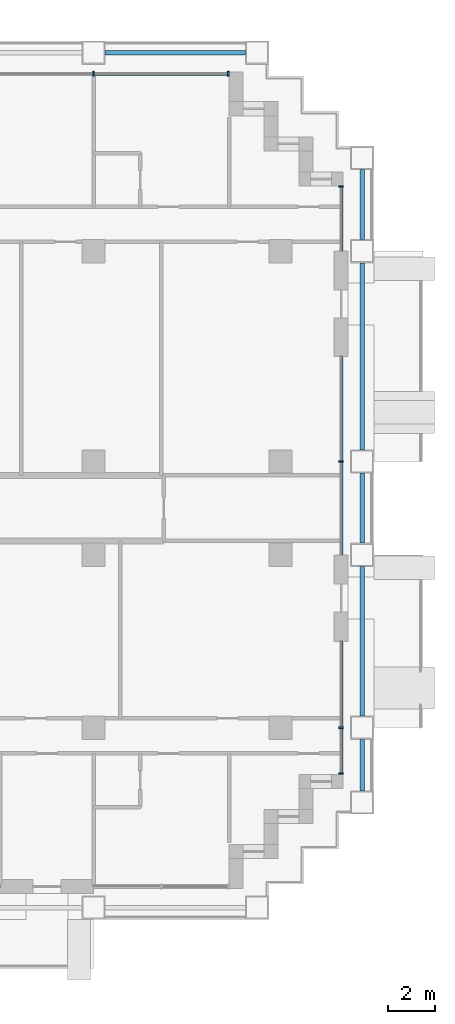
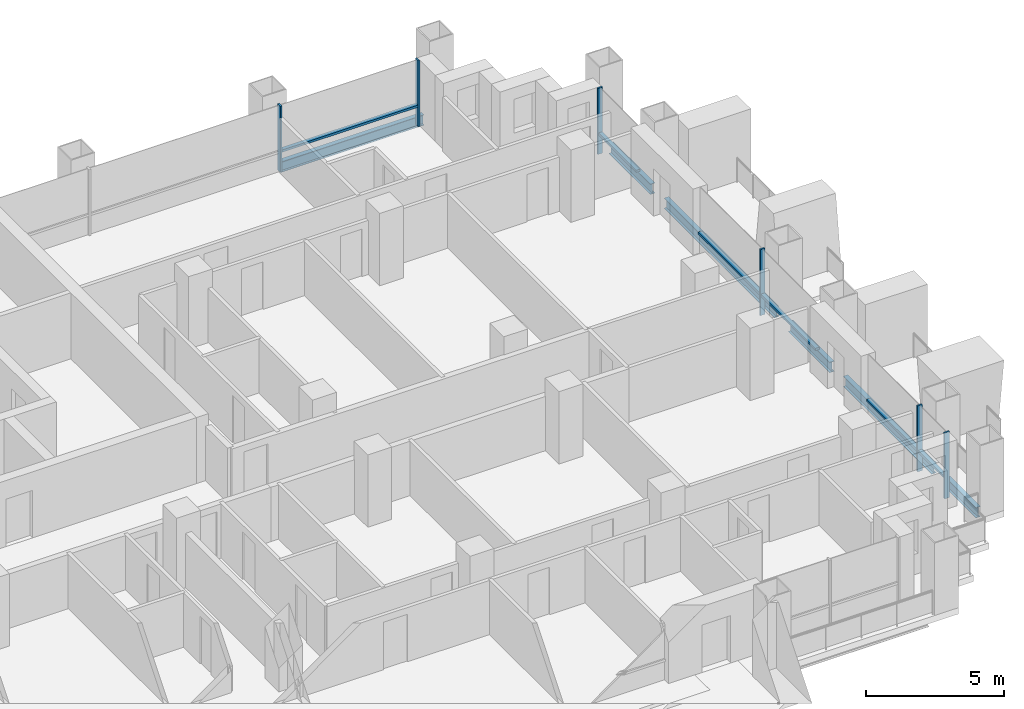
# One storey, part 6 of 18: 12 members, 6 beams, 4 elements without a shape of their own.
"""IFC4 building model written with IfcOpenShell, lengths in metres."""

from ifc_helpers import new_model, si_unit, direction, frame, origin, origin_2d, place, context, subcontext, project, spatial, rectangle, i_section, extrude, material, material_profile, profile_set, type_object, element, aggregate, save


model = new_model("IFC4")

# Units and contexts
model_context = context("Model", 3, precision=1e-05, world=origin(), true_north=direction((0.0, 1.0)))
body_context = subcontext(model_context, "Body", "Model", "MODEL_VIEW")
ifc_project = project(units=[si_unit("LENGTHUNIT", "METRE"), si_unit("AREAUNIT", "SQUARE_METRE"), si_unit("VOLUMEUNIT", "CUBIC_METRE"), si_unit("PLANEANGLEUNIT", "RADIAN"), si_unit("MASSUNIT", "GRAM", prefix="KILO")], contexts=[model_context])

# Site, building, storey
site_placement = place(None, origin())
site = spatial("IfcSite", under=ifc_project, at=site_placement, CompositionType="ELEMENT")
building_placement = place(site_placement, origin())
building = spatial("IfcBuilding", under=site, at=building_placement, Name="Vidyagriha Tower", CompositionType="ELEMENT")
storey_placement = place(building_placement, frame((0.0, 0.0, 51.199951171875)))
storey = spatial("IfcBuildingStorey", under=building, at=storey_placement, Name="L13", CompositionType="ELEMENT", Elevation=51.199951171875)

# Beams
ifc_material_1 = material(Name="Steel ASTM A992 Grade 50", Category="steel")
ifc_material_profile_1 = material_profile(ifc_material_1, i_section(OverallWidth=0.19189453125, OverallDepth=0.46240234375, WebThickness=0.010498046875, FlangeThickness=0.017578125, at=origin_2d()), Name="W18X60")
ifc_profile_set_1 = profile_set([ifc_material_profile_1], Name="Steel ASTM A992 Grade 50")
beam_type = type_object("IfcBeamType", Name="Edge beam W18X60", PredefinedType="SPANDREL", material=ifc_profile_set_1)
beam_1_placement = place(storey_placement, frame((37.5, -12.10009765625, -0.510986328125), z_axis=(0.0, 1.0, 0.0), x_axis=(-1.0, 0.0, 0.0)))
element("IfcBeam", 1, at=beam_1_placement, inside=storey, type_object=beam_type, Name="st-beam-L13-E15", PredefinedType="SPANDREL", context=body_context, shape_type="SweptSolid", body=[
    extrude(i_section(OverallWidth=0.19189453125, OverallDepth=0.46240234375, WebThickness=0.010498046875, FlangeThickness=0.017578125, at=origin_2d()), origin(), (0.0, 0.0, 1.0), 2.2001953125),
])
beam_2_placement = place(storey_placement, frame((37.5, -8.89990234375, -0.510986328125), z_axis=(0.0, 1.0, 0.0), x_axis=(-1.0, 0.0, 0.0)))
element("IfcBeam", 2, at=beam_2_placement, inside=storey, type_object=beam_type, Name="st-beam-L13-E16", PredefinedType="SPANDREL", context=body_context, shape_type="SweptSolid", body=[
    extrude(i_section(OverallWidth=0.19189453125, OverallDepth=0.46240234375, WebThickness=0.010498046875, FlangeThickness=0.017578125, at=origin_2d()), origin(), (0.0, 0.0, 1.0), 6.39990234375),
])
beam_3_placement = place(storey_placement, frame((37.5, -1.5, -0.510986328125), z_axis=(0.0, 1.0, 0.0), x_axis=(-1.0, 0.0, 0.0)))
element("IfcBeam", 3, at=beam_3_placement, inside=storey, type_object=beam_type, Name="st-beam-L13-E17", PredefinedType="SPANDREL", context=body_context, shape_type="SweptSolid", body=[
    extrude(i_section(OverallWidth=0.19189453125, OverallDepth=0.46240234375, WebThickness=0.010498046875, FlangeThickness=0.017578125, at=origin_2d()), origin(), (0.0, 0.0, 1.0), 3.0),
])
beam_4_placement = place(storey_placement, frame((37.5, 2.5, -0.510986328125), z_axis=(0.0, 1.0, 0.0), x_axis=(-1.0, 0.0, 0.0)))
element("IfcBeam", 4, at=beam_4_placement, inside=storey, type_object=beam_type, Name="st-beam-L13-E18", PredefinedType="SPANDREL", context=body_context, shape_type="SweptSolid", body=[
    extrude(i_section(OverallWidth=0.19189453125, OverallDepth=0.46240234375, WebThickness=0.010498046875, FlangeThickness=0.017578125, at=origin_2d()), origin(), (0.0, 0.0, 1.0), 8.0),
])
beam_5_placement = place(storey_placement, frame((37.5, 11.5, -0.510986328125), z_axis=(0.0, 1.0, 0.0), x_axis=(-1.0, 0.0, 0.0)))
element("IfcBeam", 5, at=beam_5_placement, inside=storey, type_object=beam_type, Name="st-beam-L13-E19", PredefinedType="SPANDREL", context=body_context, shape_type="SweptSolid", body=[
    extrude(i_section(OverallWidth=0.19189453125, OverallDepth=0.46240234375, WebThickness=0.010498046875, FlangeThickness=0.017578125, at=origin_2d()), origin(), (0.0, 0.0, 1.0), 3.0),
])
beam_6_placement = place(storey_placement, frame((26.5, 19.5, -0.510986328125), z_axis=(1.0, 0.0, 0.0), x_axis=(0.0, 1.0, 0.0)))
element("IfcBeam", 6, at=beam_6_placement, inside=storey, type_object=beam_type, Name="st-beam-L13-NE23", PredefinedType="SPANDREL", context=body_context, shape_type="SweptSolid", body=[
    extrude(i_section(OverallWidth=0.19189453125, OverallDepth=0.46240234375, WebThickness=0.010498046875, FlangeThickness=0.017578125, at=origin_2d()), origin(), (0.0, 0.0, 1.0), 6.0),
])

# Curtain wall, members
ifc_material_2 = material(Name="Aluminium and glass curtain wall", Category="aluminium")
curtain_wall_type = type_object("IfcCurtainWallType", Name="Dwelling skin unitised curtain wall", PredefinedType="USERDEFINED", material=ifc_material_2)
curtain_wall_1_placement = place(storey_placement, origin())
curtain_wall_1 = element("IfcCurtainWall", 7, at=curtain_wall_1_placement, inside=storey, type_object=curtain_wall_type, Name="CW1 dwelling skin", ObjectType="UNITISED", PredefinedType="USERDEFINED")
ifc_material_3 = material(Name="Aluminium black anodised", Category="aluminium")
ifc_material_profile_2 = material_profile(ifc_material_3, rectangle(XDim=0.199951171875, YDim=0.070068359375, at=origin_2d()), Name="Mullion 70x200 black aluminium")
ifc_profile_set_2 = profile_set([ifc_material_profile_2], Name="Aluminium black anodised")
member_type_1 = type_object("IfcMemberType", Name="Mullion 70x200 black aluminium", PredefinedType="MULLION", material=ifc_profile_set_2)
member_1_placement = place(storey_placement, frame((31.764892578125, 18.60009765625, 0.0), z_axis=(0.0, 0.0, 1.0), x_axis=(0.0, -1.0, 0.0)))
member_1 = element("IfcMember", 8, at=member_1_placement, type_object=member_type_1, Name="CW1 mullion 1", PredefinedType="MULLION", context=body_context, shape_type="SweptSolid", body=[
    extrude(rectangle(XDim=0.199951171875, YDim=0.070068359375, at=origin_2d()), origin(), (0.0, 0.0, 1.0), 2.920166015625),
])
member_2_placement = place(storey_placement, frame((26.0, 18.60009765625, 0.0), z_axis=(0.0, 0.0, 1.0), x_axis=(0.0, -1.0, 0.0)))
member_2 = element("IfcMember", 9, at=member_2_placement, type_object=member_type_1, Name="CW1 mullion 2", PredefinedType="MULLION", context=body_context, shape_type="SweptSolid", body=[
    extrude(rectangle(XDim=0.199951171875, YDim=0.070068359375, at=origin_2d()), origin(), (0.0, 0.0, 1.0), 2.920166015625),
])

curtain_wall_2_placement = place(storey_placement, origin())
curtain_wall_2 = element("IfcCurtainWall", 10, at=curtain_wall_2_placement, inside=storey, type_object=curtain_wall_type, Name="CW1 dwelling skin", ObjectType="UNITISED", PredefinedType="USERDEFINED")
member_3_placement = place(storey_placement, frame((36.60009765625, -11.364990234375, 0.0), z_axis=(0.0, 0.0, 1.0), x_axis=(-1.0, 0.0, 0.0)))
member_3 = element("IfcMember", 11, at=member_3_placement, type_object=member_type_1, Name="CW1 mullion 1", PredefinedType="MULLION", context=body_context, shape_type="SweptSolid", body=[
    extrude(rectangle(XDim=0.199951171875, YDim=0.070068359375, at=origin_2d()), origin(), (0.0, 0.0, 1.0), 2.920166015625),
])
member_4_placement = place(storey_placement, frame((36.60009765625, -9.39990234375, 0.0), z_axis=(0.0, 0.0, 1.0), x_axis=(-1.0, 0.0, 0.0)))
member_4 = element("IfcMember", 12, at=member_4_placement, type_object=member_type_1, Name="CW1 mullion 2", PredefinedType="MULLION", context=body_context, shape_type="SweptSolid", body=[
    extrude(rectangle(XDim=0.199951171875, YDim=0.070068359375, at=origin_2d()), origin(), (0.0, 0.0, 1.0), 2.920166015625),
])

# Curtain wall, member
curtain_wall_3_placement = place(storey_placement, origin())
curtain_wall_3 = element("IfcCurtainWall", 13, at=curtain_wall_3_placement, inside=storey, type_object=curtain_wall_type, Name="CW1 dwelling skin", ObjectType="UNITISED", PredefinedType="USERDEFINED")
member_5_placement = place(storey_placement, frame((36.60009765625, 2.0, 0.0), z_axis=(0.0, 0.0, 1.0), x_axis=(-1.0, 0.0, 0.0)))
member_5 = element("IfcMember", 14, at=member_5_placement, type_object=member_type_1, Name="CW1 mullion 2", PredefinedType="MULLION", context=body_context, shape_type="SweptSolid", body=[
    extrude(rectangle(XDim=0.199951171875, YDim=0.070068359375, at=origin_2d()), origin(), (0.0, 0.0, 1.0), 2.920166015625),
])

curtain_wall_4_placement = place(storey_placement, origin())
curtain_wall_4 = element("IfcCurtainWall", 15, at=curtain_wall_4_placement, inside=storey, type_object=curtain_wall_type, Name="CW1 dwelling skin", ObjectType="UNITISED", PredefinedType="USERDEFINED")
member_6_placement = place(storey_placement, frame((36.60009765625, 13.764892578125, 0.0), z_axis=(0.0, 0.0, 1.0), x_axis=(-1.0, 0.0, 0.0)))
member_6 = element("IfcMember", 16, at=member_6_placement, type_object=member_type_1, Name="CW1 mullion 2", PredefinedType="MULLION", context=body_context, shape_type="SweptSolid", body=[
    extrude(rectangle(XDim=0.199951171875, YDim=0.070068359375, at=origin_2d()), origin(), (0.0, 0.0, 1.0), 2.920166015625),
])

# Member
ifc_material_4 = material(Name="Aluminium black anodised", Category="aluminium")
ifc_material_profile_3 = material_profile(ifc_material_4, rectangle(XDim=0.159912109375, YDim=0.10009765625, at=origin_2d()), Name="Transom 100x160 black aluminium")
ifc_profile_set_3 = profile_set([ifc_material_profile_3], Name="Aluminium black anodised")
member_type_2 = type_object("IfcMemberType", Name="Transom 100x160 black aluminium", PredefinedType="USERDEFINED", material=ifc_profile_set_3)
member_7_placement = place(storey_placement, frame((31.72998046875, 18.60009765625, 0.900146484375), z_axis=(-1.0, 0.0, 0.0), x_axis=(0.0, -1.0, 0.0)))
member_7 = element("IfcMember", 17, at=member_7_placement, type_object=member_type_2, Name="CW1 transom 1.1", ObjectType="TRANSOM", PredefinedType="USERDEFINED", context=body_context, shape_type="SweptSolid", body=[
    extrude(rectangle(XDim=0.159912109375, YDim=0.10009765625, at=origin_2d()), origin(), (0.0, 0.0, 1.0), 5.695068359375),
])

aggregate(curtain_wall_1, [member_1, member_2, member_7])

member_8_placement = place(storey_placement, frame((36.60009765625, -11.330078125, 0.900146484375), z_axis=(0.0, 1.0, 0.0), x_axis=(-1.0, 0.0, 0.0)))
member_8 = element("IfcMember", 18, at=member_8_placement, type_object=member_type_2, Name="CW1 transom 1.1", ObjectType="TRANSOM", PredefinedType="USERDEFINED", context=body_context, shape_type="SweptSolid", body=[
    extrude(rectangle(XDim=0.159912109375, YDim=0.10009765625, at=origin_2d()), origin(), (0.0, 0.0, 1.0), 1.89501953125),
])

member_9_placement = place(storey_placement, frame((36.60009765625, -9.364990234375, 0.900146484375), z_axis=(0.0, 1.0, 0.0), x_axis=(-1.0, 0.0, 0.0)))
member_9 = element("IfcMember", 19, at=member_9_placement, type_object=member_type_2, Name="CW1 transom 2.1", ObjectType="TRANSOM", PredefinedType="USERDEFINED", context=body_context, shape_type="SweptSolid", body=[
    extrude(rectangle(XDim=0.159912109375, YDim=0.10009765625, at=origin_2d()), origin(), (0.0, 0.0, 1.0), 3.6650390625),
])

aggregate(curtain_wall_2, [member_3, member_4, member_8, member_9])

member_10_placement = place(storey_placement, frame((36.60009765625, -2.0, 0.900146484375), z_axis=(0.0, 1.0, 0.0), x_axis=(-1.0, 0.0, 0.0)))
member_10 = element("IfcMember", 20, at=member_10_placement, type_object=member_type_2, Name="CW1 transom 1.1", ObjectType="TRANSOM", PredefinedType="USERDEFINED", context=body_context, shape_type="SweptSolid", body=[
    extrude(rectangle(XDim=0.159912109375, YDim=0.10009765625, at=origin_2d()), origin(), (0.0, 0.0, 1.0), 3.965087890625),
])

member_11_placement = place(storey_placement, frame((36.60009765625, 2.034912109375, 0.900146484375), z_axis=(0.0, 1.0, 0.0), x_axis=(-1.0, 0.0, 0.0)))
member_11 = element("IfcMember", 21, at=member_11_placement, type_object=member_type_2, Name="CW1 transom 2.1", ObjectType="TRANSOM", PredefinedType="USERDEFINED", context=body_context, shape_type="SweptSolid", body=[
    extrude(rectangle(XDim=0.159912109375, YDim=0.10009765625, at=origin_2d()), origin(), (0.0, 0.0, 1.0), 4.465087890625),
])

aggregate(curtain_wall_3, [member_5, member_10, member_11])

member_12_placement = place(storey_placement, frame((36.60009765625, 11.0, 0.900146484375), z_axis=(0.0, 1.0, 0.0), x_axis=(-1.0, 0.0, 0.0)))
member_12 = element("IfcMember", 22, at=member_12_placement, type_object=member_type_2, Name="CW1 transom 1.1", ObjectType="TRANSOM", PredefinedType="USERDEFINED", context=body_context, shape_type="SweptSolid", body=[
    extrude(rectangle(XDim=0.159912109375, YDim=0.10009765625, at=origin_2d()), origin(), (0.0, 0.0, 1.0), 2.72998046875),
])

aggregate(curtain_wall_4, [member_6, member_12])

save(model, "model.ifc")
